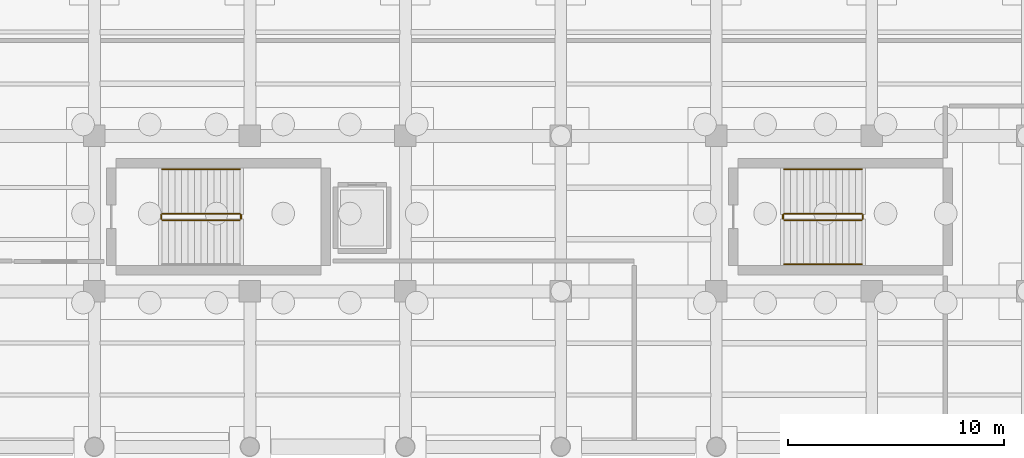
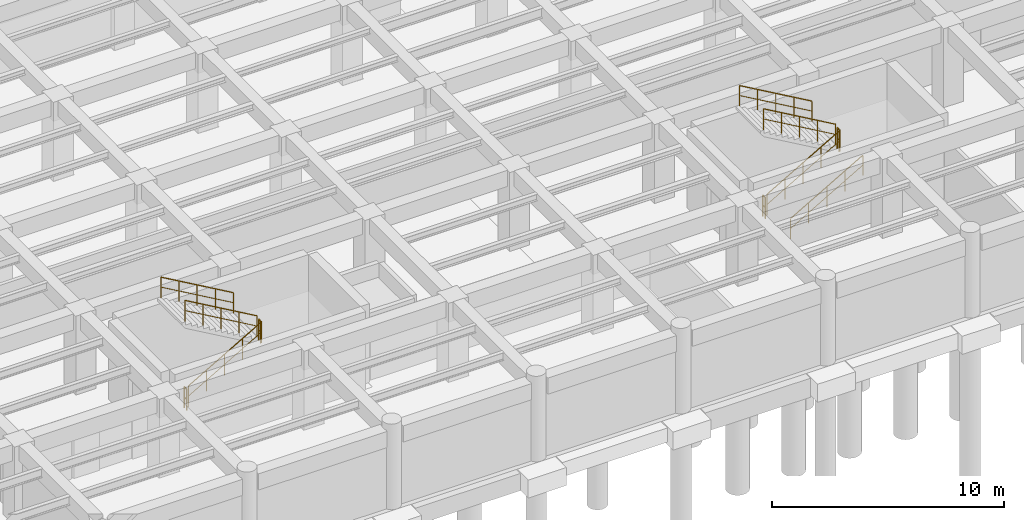
# One storey, part 26 of 34: 11 railings.
"""IFC4 building model written with IfcOpenShell, lengths in metres."""

from ifc_helpers import new_model, si_unit, direction, frame, origin, origin_2d, place, context, subcontext, project, spatial, circle, extrude, material, type_object, element, save


model = new_model("IFC4")

# Units and contexts
model_context = context("Model", 3, precision=1e-05, world=origin(), true_north=direction((0.0, 1.0)))
body_context = subcontext(model_context, "Body", "Model", "MODEL_VIEW")
ifc_project = project(units=[si_unit("LENGTHUNIT", "METRE"), si_unit("AREAUNIT", "SQUARE_METRE"), si_unit("VOLUMEUNIT", "CUBIC_METRE"), si_unit("PLANEANGLEUNIT", "RADIAN"), si_unit("MASSUNIT", "GRAM", prefix="KILO")], contexts=[model_context])

# Site, building, storey
site_placement = place(None, origin())
site = spatial("IfcSite", under=ifc_project, at=site_placement, CompositionType="ELEMENT")
building_placement = place(site_placement, origin())
building = spatial("IfcBuilding", under=site, at=building_placement, Name="Solenvale Faculty of Natural Sciences", CompositionType="ELEMENT")
storey_placement = place(building_placement, frame((0.0, 0.0, -4.5)))
storey = spatial("IfcBuildingStorey", under=building, at=storey_placement, Name="B01", CompositionType="ELEMENT", Elevation=-4.5)

# Railings
ifc_material = material(Name="Stainless steel Grade 304", Category="steel")
railing_type_1 = type_object("IfcRailingType", Name="RL-GRD-1100", PredefinedType="GUARDRAIL", material=ifc_material)
railing_1_placement = place(storey_placement, frame((67.93994140625, 24.89990234375, 0.173095703125)))
element("IfcRailing", 1, at=railing_1_placement, inside=storey, type_object=railing_type_1, Name="B01 ST-03 stair guard 1", PredefinedType="GUARDRAIL", context=body_context, shape_type="SweptSolid", body=[
    extrude(circle(Radius=0.02392578125, at=origin_2d()), frame((0.0, 0.0, 1.09619140625), z_axis=(0.866193409371, 0.0, 0.499708892819), x_axis=(0.0, 1.0, 0.0)), (0.0, 0.0, 1.0), 4.15625),
    extrude(circle(Radius=0.01611328125, at=origin_2d()), frame((0.0, 0.0, 0.56005859375), z_axis=(0.866193409371, 0.0, 0.499708892819), x_axis=(0.0, 1.0, 0.0)), (0.0, 0.0, 1.0), 4.15625),
    extrude(circle(Radius=0.02099609375, at=origin_2d()), origin(), (0.0, 0.0, 1.0), 1.072021484375),
    extrude(circle(Radius=0.02099609375, at=origin_2d()), frame((0.89990234375, 0.0, 0.519287109375)), (0.0, 0.0, 1.0), 1.072021484375),
    extrude(circle(Radius=0.02099609375, at=origin_2d()), frame((1.800048828125, 0.0, 1.03857421875)), (0.0, 0.0, 1.0), 1.072021484375),
    extrude(circle(Radius=0.02099609375, at=origin_2d()), frame((2.7001953125, 0.0, 1.5576171875)), (0.0, 0.0, 1.0), 1.072021484375),
    extrude(circle(Radius=0.02099609375, at=origin_2d()), frame((3.60009765625, 0.0, 2.076904296875)), (0.0, 0.0, 1.0), 1.072021484375),
])
railing_2_placement = place(storey_placement, frame((71.590087890625, 24.949951171875, 2.25)))
element("IfcRailing", 2, at=railing_2_placement, inside=storey, type_object=railing_type_1, Name="B01 ST-03 stair guard 2", PredefinedType="GUARDRAIL", context=body_context, shape_type="SweptSolid", body=[
    extrude(circle(Radius=0.02392578125, at=origin_2d()), frame((0.0, 0.0, 1.09619140625), z_axis=(0.0, 1.0, 0.0), x_axis=(-1.0, 0.0, 0.0)), (0.0, 0.0, 1.0), 0.199951171875),
    extrude(circle(Radius=0.01611328125, at=origin_2d()), frame((0.0, 0.0, 0.56005859375), z_axis=(0.0, 1.0, 0.0), x_axis=(-1.0, 0.0, 0.0)), (0.0, 0.0, 1.0), 0.199951171875),
    extrude(circle(Radius=0.02099609375, at=origin_2d()), origin(), (0.0, 0.0, 1.0), 1.072021484375),
    extrude(circle(Radius=0.02099609375, at=origin_2d()), frame((0.0, 0.199951171875, 0.0)), (0.0, 0.0, 1.0), 1.072021484375),
])
railing_3_placement = place(storey_placement, frame((71.5400390625, 25.199951171875, 2.423095703125)))
element("IfcRailing", 3, at=railing_3_placement, inside=storey, type_object=railing_type_1, Name="B01 ST-03 stair guard 3", PredefinedType="GUARDRAIL", context=body_context, shape_type="SweptSolid", body=[
    extrude(circle(Radius=0.02392578125, at=origin_2d()), frame((0.0, 0.0, 1.09619140625), z_axis=(-0.866193409371, 0.0, 0.499708892819), x_axis=(0.0, -1.0, 0.0)), (0.0, 0.0, 1.0), 4.15625),
    extrude(circle(Radius=0.01611328125, at=origin_2d()), frame((0.0, 0.0, 0.56005859375), z_axis=(-0.866193409371, 0.0, 0.499708892819), x_axis=(0.0, -1.0, 0.0)), (0.0, 0.0, 1.0), 4.15625),
    extrude(circle(Radius=0.02099609375, at=origin_2d()), origin(), (0.0, 0.0, 1.0), 1.072021484375),
    extrude(circle(Radius=0.02099609375, at=origin_2d()), frame((-0.89990234375, 0.0, 0.519287109375)), (0.0, 0.0, 1.0), 1.072021484375),
    extrude(circle(Radius=0.02099609375, at=origin_2d()), frame((-1.800048828125, 0.0, 1.03857421875)), (0.0, 0.0, 1.0), 1.072021484375),
    extrude(circle(Radius=0.02099609375, at=origin_2d()), frame((-2.7001953125, 0.0, 1.5576171875)), (0.0, 0.0, 1.0), 1.072021484375),
    extrude(circle(Radius=0.02099609375, at=origin_2d()), frame((-3.60009765625, 0.0, 2.076904296875)), (0.0, 0.0, 1.0), 1.072021484375),
])
railing_4_placement = place(storey_placement, frame((67.889892578125, 24.949951171875, 0.0)))
element("IfcRailing", 4, at=railing_4_placement, inside=storey, type_object=railing_type_1, Name="B01 ST-03 stair guard 4", PredefinedType="GUARDRAIL", context=body_context, shape_type="SweptSolid", body=[
    extrude(circle(Radius=0.02392578125, at=origin_2d()), frame((0.0, 0.0, 1.09619140625), z_axis=(0.0, 1.0, 0.0), x_axis=(-1.0, 0.0, 0.0)), (0.0, 0.0, 1.0), 0.199951171875),
    extrude(circle(Radius=0.01611328125, at=origin_2d()), frame((0.0, 0.0, 0.56005859375), z_axis=(0.0, 1.0, 0.0), x_axis=(-1.0, 0.0, 0.0)), (0.0, 0.0, 1.0), 0.199951171875),
    extrude(circle(Radius=0.02099609375, at=origin_2d()), origin(), (0.0, 0.0, 1.0), 1.072021484375),
    extrude(circle(Radius=0.02099609375, at=origin_2d()), frame((0.0, 0.199951171875, 0.0)), (0.0, 0.0, 1.0), 1.072021484375),
])
railing_5_placement = place(storey_placement, frame((96.739990234375, 24.89990234375, 0.173095703125)))
element("IfcRailing", 5, at=railing_5_placement, inside=storey, type_object=railing_type_1, Name="B01 ST-07 stair guard 1", PredefinedType="GUARDRAIL", context=body_context, shape_type="SweptSolid", body=[
    extrude(circle(Radius=0.02392578125, at=origin_2d()), frame((0.0, 0.0, 1.09619140625), z_axis=(0.866193409371, 0.0, 0.499708892819), x_axis=(0.0, 1.0, 0.0)), (0.0, 0.0, 1.0), 4.15625),
    extrude(circle(Radius=0.01611328125, at=origin_2d()), frame((0.0, 0.0, 0.56005859375), z_axis=(0.866193409371, 0.0, 0.499708892819), x_axis=(0.0, 1.0, 0.0)), (0.0, 0.0, 1.0), 4.15625),
    extrude(circle(Radius=0.02099609375, at=origin_2d()), origin(), (0.0, 0.0, 1.0), 1.072021484375),
    extrude(circle(Radius=0.02099609375, at=origin_2d()), frame((0.89990234375, 0.0, 0.519287109375)), (0.0, 0.0, 1.0), 1.072021484375),
    extrude(circle(Radius=0.02099609375, at=origin_2d()), frame((1.800048828125, 0.0, 1.03857421875)), (0.0, 0.0, 1.0), 1.072021484375),
    extrude(circle(Radius=0.02099609375, at=origin_2d()), frame((2.7001953125, 0.0, 1.5576171875)), (0.0, 0.0, 1.0), 1.072021484375),
    extrude(circle(Radius=0.02099609375, at=origin_2d()), frame((3.60009765625, 0.0, 2.076904296875)), (0.0, 0.0, 1.0), 1.072021484375),
])
railing_6_placement = place(storey_placement, frame((100.389892578125, 24.949951171875, 2.25)))
element("IfcRailing", 6, at=railing_6_placement, inside=storey, type_object=railing_type_1, Name="B01 ST-07 stair guard 2", PredefinedType="GUARDRAIL", context=body_context, shape_type="SweptSolid", body=[
    extrude(circle(Radius=0.02392578125, at=origin_2d()), frame((0.0, 0.0, 1.09619140625), z_axis=(0.0, 1.0, 0.0), x_axis=(-1.0, 0.0, 0.0)), (0.0, 0.0, 1.0), 0.199951171875),
    extrude(circle(Radius=0.01611328125, at=origin_2d()), frame((0.0, 0.0, 0.56005859375), z_axis=(0.0, 1.0, 0.0), x_axis=(-1.0, 0.0, 0.0)), (0.0, 0.0, 1.0), 0.199951171875),
    extrude(circle(Radius=0.02099609375, at=origin_2d()), origin(), (0.0, 0.0, 1.0), 1.072021484375),
    extrude(circle(Radius=0.02099609375, at=origin_2d()), frame((0.0, 0.199951171875, 0.0)), (0.0, 0.0, 1.0), 1.072021484375),
])
railing_7_placement = place(storey_placement, frame((100.340087890625, 25.199951171875, 2.423095703125)))
element("IfcRailing", 7, at=railing_7_placement, inside=storey, type_object=railing_type_1, Name="B01 ST-07 stair guard 3", PredefinedType="GUARDRAIL", context=body_context, shape_type="SweptSolid", body=[
    extrude(circle(Radius=0.02392578125, at=origin_2d()), frame((0.0, 0.0, 1.09619140625), z_axis=(-0.866193409371, 0.0, 0.499708892819), x_axis=(0.0, -1.0, 0.0)), (0.0, 0.0, 1.0), 4.15625),
    extrude(circle(Radius=0.01611328125, at=origin_2d()), frame((0.0, 0.0, 0.56005859375), z_axis=(-0.866193409371, 0.0, 0.499708892819), x_axis=(0.0, -1.0, 0.0)), (0.0, 0.0, 1.0), 4.15625),
    extrude(circle(Radius=0.02099609375, at=origin_2d()), origin(), (0.0, 0.0, 1.0), 1.072021484375),
    extrude(circle(Radius=0.02099609375, at=origin_2d()), frame((-0.89990234375, 0.0, 0.519287109375)), (0.0, 0.0, 1.0), 1.072021484375),
    extrude(circle(Radius=0.02099609375, at=origin_2d()), frame((-1.800048828125, 0.0, 1.03857421875)), (0.0, 0.0, 1.0), 1.072021484375),
    extrude(circle(Radius=0.02099609375, at=origin_2d()), frame((-2.7001953125, 0.0, 1.5576171875)), (0.0, 0.0, 1.0), 1.072021484375),
    extrude(circle(Radius=0.02099609375, at=origin_2d()), frame((-3.60009765625, 0.0, 2.076904296875)), (0.0, 0.0, 1.0), 1.072021484375),
])
railing_8_placement = place(storey_placement, frame((96.68994140625, 24.949951171875, 0.0)))
element("IfcRailing", 8, at=railing_8_placement, inside=storey, type_object=railing_type_1, Name="B01 ST-07 stair guard 4", PredefinedType="GUARDRAIL", context=body_context, shape_type="SweptSolid", body=[
    extrude(circle(Radius=0.02392578125, at=origin_2d()), frame((0.0, 0.0, 1.09619140625), z_axis=(0.0, 1.0, 0.0), x_axis=(-1.0, 0.0, 0.0)), (0.0, 0.0, 1.0), 0.199951171875),
    extrude(circle(Radius=0.01611328125, at=origin_2d()), frame((0.0, 0.0, 0.56005859375), z_axis=(0.0, 1.0, 0.0), x_axis=(-1.0, 0.0, 0.0)), (0.0, 0.0, 1.0), 0.199951171875),
    extrude(circle(Radius=0.02099609375, at=origin_2d()), origin(), (0.0, 0.0, 1.0), 1.072021484375),
    extrude(circle(Radius=0.02099609375, at=origin_2d()), frame((0.0, 0.199951171875, 0.0)), (0.0, 0.0, 1.0), 1.072021484375),
])
railing_type_2 = type_object("IfcRailingType", Name="RL-HND-900", PredefinedType="HANDRAIL", material=ifc_material)
railing_9_placement = place(storey_placement, frame((71.5400390625, 27.25, 2.423095703125)))
element("IfcRailing", 9, at=railing_9_placement, inside=storey, type_object=railing_type_2, Name="B01 ST-03 stair handrail 2", PredefinedType="HANDRAIL", context=body_context, shape_type="SweptSolid", body=[
    extrude(circle(Radius=0.02392578125, at=origin_2d()), frame((0.0, 0.0, 1.0732421875), z_axis=(-0.866193409371, 0.0, 0.499708892819), x_axis=(0.0, -1.0, 0.0)), (0.0, 0.0, 1.0), 4.15625),
    extrude(circle(Radius=0.01611328125, at=origin_2d()), frame((0.0, 0.0, 0.548583984375), z_axis=(-0.866193409371, 0.0, 0.499708892819), x_axis=(0.0, -1.0, 0.0)), (0.0, 0.0, 1.0), 4.15625),
    extrude(circle(Radius=0.02099609375, at=origin_2d()), origin(), (0.0, 0.0, 1.0), 1.049072265625),
    extrude(circle(Radius=0.02099609375, at=origin_2d()), frame((-0.89990234375, 0.0, 0.519287109375)), (0.0, 0.0, 1.0), 1.049072265625),
    extrude(circle(Radius=0.02099609375, at=origin_2d()), frame((-1.800048828125, 0.0, 1.03857421875)), (0.0, 0.0, 1.0), 1.049072265625),
    extrude(circle(Radius=0.02099609375, at=origin_2d()), frame((-2.7001953125, 0.0, 1.5576171875)), (0.0, 0.0, 1.0), 1.049072265625),
    extrude(circle(Radius=0.02099609375, at=origin_2d()), frame((-3.60009765625, 0.0, 2.076904296875)), (0.0, 0.0, 1.0), 1.049072265625),
])
railing_10_placement = place(storey_placement, frame((96.739990234375, 22.85009765625, 0.173095703125)))
element("IfcRailing", 10, at=railing_10_placement, inside=storey, type_object=railing_type_2, Name="B01 ST-07 stair handrail 1", PredefinedType="HANDRAIL", context=body_context, shape_type="SweptSolid", body=[
    extrude(circle(Radius=0.02392578125, at=origin_2d()), frame((0.0, 0.0, 1.0732421875), z_axis=(0.866193409371, 0.0, 0.499708892819), x_axis=(0.0, 1.0, 0.0)), (0.0, 0.0, 1.0), 4.15625),
    extrude(circle(Radius=0.01611328125, at=origin_2d()), frame((0.0, 0.0, 0.548583984375), z_axis=(0.866193409371, 0.0, 0.499708892819), x_axis=(0.0, 1.0, 0.0)), (0.0, 0.0, 1.0), 4.15625),
    extrude(circle(Radius=0.02099609375, at=origin_2d()), origin(), (0.0, 0.0, 1.0), 1.049072265625),
    extrude(circle(Radius=0.02099609375, at=origin_2d()), frame((0.89990234375, 0.0, 0.519287109375)), (0.0, 0.0, 1.0), 1.049072265625),
    extrude(circle(Radius=0.02099609375, at=origin_2d()), frame((1.800048828125, 0.0, 1.03857421875)), (0.0, 0.0, 1.0), 1.049072265625),
    extrude(circle(Radius=0.02099609375, at=origin_2d()), frame((2.7001953125, 0.0, 1.5576171875)), (0.0, 0.0, 1.0), 1.049072265625),
    extrude(circle(Radius=0.02099609375, at=origin_2d()), frame((3.60009765625, 0.0, 2.076904296875)), (0.0, 0.0, 1.0), 1.049072265625),
])
railing_11_placement = place(storey_placement, frame((100.340087890625, 27.25, 2.423095703125)))
element("IfcRailing", 11, at=railing_11_placement, inside=storey, type_object=railing_type_2, Name="B01 ST-07 stair handrail 2", PredefinedType="HANDRAIL", context=body_context, shape_type="SweptSolid", body=[
    extrude(circle(Radius=0.02392578125, at=origin_2d()), frame((0.0, 0.0, 1.0732421875), z_axis=(-0.866193409371, 0.0, 0.499708892819), x_axis=(0.0, -1.0, 0.0)), (0.0, 0.0, 1.0), 4.15625),
    extrude(circle(Radius=0.01611328125, at=origin_2d()), frame((0.0, 0.0, 0.548583984375), z_axis=(-0.866193409371, 0.0, 0.499708892819), x_axis=(0.0, -1.0, 0.0)), (0.0, 0.0, 1.0), 4.15625),
    extrude(circle(Radius=0.02099609375, at=origin_2d()), origin(), (0.0, 0.0, 1.0), 1.049072265625),
    extrude(circle(Radius=0.02099609375, at=origin_2d()), frame((-0.89990234375, 0.0, 0.519287109375)), (0.0, 0.0, 1.0), 1.049072265625),
    extrude(circle(Radius=0.02099609375, at=origin_2d()), frame((-1.800048828125, 0.0, 1.03857421875)), (0.0, 0.0, 1.0), 1.049072265625),
    extrude(circle(Radius=0.02099609375, at=origin_2d()), frame((-2.7001953125, 0.0, 1.5576171875)), (0.0, 0.0, 1.0), 1.049072265625),
    extrude(circle(Radius=0.02099609375, at=origin_2d()), frame((-3.60009765625, 0.0, 2.076904296875)), (0.0, 0.0, 1.0), 1.049072265625),
])

save(model, "model.ifc")
